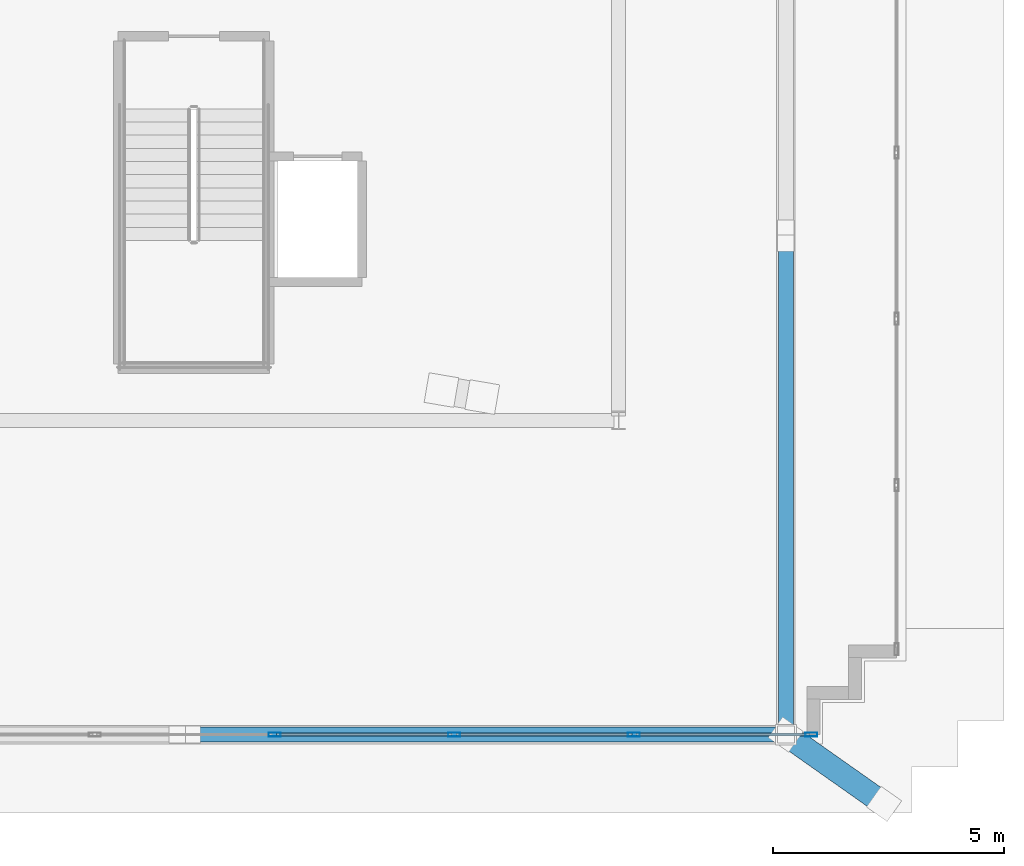
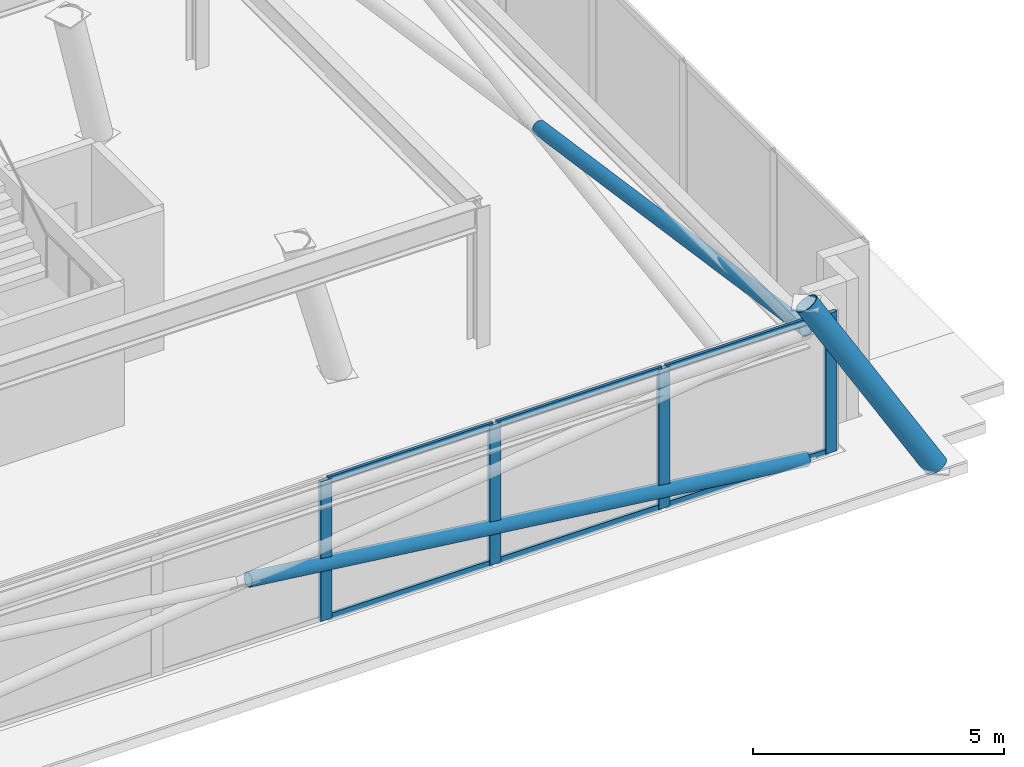
# One storey, part 5 of 15: 13 members, 1 element without a shape of its own.
"""IFC4 building model written with IfcOpenShell, lengths in metres."""

from ifc_helpers import new_model, si_unit, direction, frame, origin, origin_2d, place, context, subcontext, project, spatial, hollow_rectangle, hollow_circle, extrude, material, layer, layer_set, material_profile, profile_set, type_object, element, aggregate, save


model = new_model("IFC4")

# Units and contexts
model_context = context("Model", 3, precision=1e-05, world=origin(), true_north=direction((0.0, 1.0)))
body_context = subcontext(model_context, "Body", "Model", "MODEL_VIEW")
ifc_project = project(units=[si_unit("LENGTHUNIT", "METRE"), si_unit("AREAUNIT", "SQUARE_METRE"), si_unit("VOLUMEUNIT", "CUBIC_METRE"), si_unit("PLANEANGLEUNIT", "RADIAN"), si_unit("MASSUNIT", "GRAM", prefix="KILO")], contexts=[model_context])

# Site, building, storey
site_placement = place(None, origin())
site = spatial("IfcSite", under=ifc_project, at=site_placement, CompositionType="ELEMENT")
building_placement = place(site_placement, origin())
building = spatial("IfcBuilding", under=site, at=building_placement, Name="Qobustan Lattice House", CompositionType="ELEMENT")
storey_placement = place(building_placement, frame((0.0, 0.0, 281.60009765625)))
storey = spatial("IfcBuildingStorey", under=building, at=storey_placement, Name="L79", CompositionType="ELEMENT", Elevation=281.60009765625)

# Curtain wall, members
ifc_material_1 = material(Name="Anodised aluminium and low-E glazing", Category="aluminium")
ifc_layer = layer(ifc_material_1, 0.219970703125)
ifc_layer_set = layer_set([ifc_layer], Name="Anodised aluminium and low-E glazing")
curtain_wall_type = type_object("IfcCurtainWallType", Name="CW-CRN-01", PredefinedType="USERDEFINED", material=ifc_layer_set)
curtain_wall_placement = place(storey_placement, origin())
curtain_wall = element("IfcCurtainWall", 1, at=curtain_wall_placement, inside=storey, type_object=curtain_wall_type, Name="L79 glass-point crown faceted curtain wall 20", ObjectType="CURTAIN WALL", PredefinedType="USERDEFINED")
ifc_material_2 = material(Name="Anodised aluminium EN AW-6063 T6", Category="aluminium")
ifc_material_profile_1 = material_profile(ifc_material_2, hollow_rectangle(XDim=0.090087890625, YDim=0.260009765625, WallThickness=0.006103515625, at=origin_2d()), Name="CWM-CROWN-260x90")
ifc_profile_set_1 = profile_set([ifc_material_profile_1], Name="Anodised aluminium EN AW-6063 T6")
member_type_1 = type_object("IfcMemberType", Name="CWM-CRN-260", PredefinedType="MULLION", material=ifc_profile_set_1)
member_1_placement = place(storey_placement, frame((13.375, -12.405029296875, 0.0), z_axis=(0.0, 0.0, 1.0), x_axis=(0.0, -1.0, 0.0)))
member_1 = element("IfcMember", 2, at=member_1_placement, type_object=member_type_1, Name="CW-CR mullion 1", PredefinedType="MULLION", context=body_context, shape_type="SweptSolid", body=[
    extrude(hollow_rectangle(XDim=0.090087890625, YDim=0.260009765625, WallThickness=0.006103515625, at=origin_2d()), origin(), (0.0, 0.0, 1.0), 3.39990234375),
])
member_2_placement = place(storey_placement, frame((9.528564453125, -12.405029296875, 0.0), z_axis=(0.0, 0.0, 1.0), x_axis=(0.0, -1.0, 0.0)))
member_2 = element("IfcMember", 3, at=member_2_placement, type_object=member_type_1, Name="CW-CR mullion 2", PredefinedType="MULLION", context=body_context, shape_type="SweptSolid", body=[
    extrude(hollow_rectangle(XDim=0.090087890625, YDim=0.260009765625, WallThickness=0.006103515625, at=origin_2d()), origin(), (0.0, 0.0, 1.0), 3.39990234375),
])
member_3_placement = place(storey_placement, frame((5.63720703125, -12.405029296875, 0.0), z_axis=(0.0, 0.0, 1.0), x_axis=(0.0, -1.0, 0.0)))
member_3 = element("IfcMember", 4, at=member_3_placement, type_object=member_type_1, Name="CW-CR mullion 3", PredefinedType="MULLION", context=body_context, shape_type="SweptSolid", body=[
    extrude(hollow_rectangle(XDim=0.090087890625, YDim=0.260009765625, WallThickness=0.006103515625, at=origin_2d()), origin(), (0.0, 0.0, 1.0), 3.39990234375),
])
member_4_placement = place(storey_placement, frame((1.74560546875, -12.405029296875, 0.0), z_axis=(0.0, 0.0, 1.0), x_axis=(0.0, -1.0, 0.0)))
member_4 = element("IfcMember", 5, at=member_4_placement, type_object=member_type_1, Name="CW-CR mullion 4", PredefinedType="MULLION", context=body_context, shape_type="SweptSolid", body=[
    extrude(hollow_rectangle(XDim=0.090087890625, YDim=0.260009765625, WallThickness=0.006103515625, at=origin_2d()), origin(), (0.0, 0.0, 1.0), 3.39990234375),
])
ifc_material_3 = material(Name="Anodised aluminium EN AW-6063 T6", Category="aluminium")
ifc_material_profile_2 = material_profile(ifc_material_3, hollow_rectangle(XDim=0.06494140625, YDim=0.159912109375, WallThickness=0.00390625, at=origin_2d()), Name="CWT-160x65")
ifc_profile_set_2 = profile_set([ifc_material_profile_2], Name="Anodised aluminium EN AW-6063 T6")
member_type_2 = type_object("IfcMemberType", Name="CWT-HOR-160", PredefinedType="USERDEFINED", material=ifc_profile_set_2)
member_5_placement = place(storey_placement, frame((13.330078125, -12.405029296875, 0.032470703125), z_axis=(-1.0, 0.0, 0.0), x_axis=(0.0, -1.0, 0.0)))
member_5 = element("IfcMember", 6, at=member_5_placement, type_object=member_type_2, Name="CW-CR transom 1.1", ObjectType="TRANSOM", PredefinedType="USERDEFINED", context=body_context, shape_type="SweptSolid", body=[
    extrude(hollow_rectangle(XDim=0.06494140625, YDim=0.159912109375, WallThickness=0.00390625, at=origin_2d()), origin(), (0.0, 0.0, 1.0), 3.756591796875),
])
member_6_placement = place(storey_placement, frame((13.330078125, -12.405029296875, 3.367431640625), z_axis=(-1.0, 0.0, 0.0), x_axis=(0.0, -1.0, 0.0)))
member_6 = element("IfcMember", 7, at=member_6_placement, type_object=member_type_2, Name="CW-CR transom 1.2", ObjectType="TRANSOM", PredefinedType="USERDEFINED", context=body_context, shape_type="SweptSolid", body=[
    extrude(hollow_rectangle(XDim=0.06494140625, YDim=0.159912109375, WallThickness=0.00390625, at=origin_2d()), origin(), (0.0, 0.0, 1.0), 3.756591796875),
])
member_7_placement = place(storey_placement, frame((9.483642578125, -12.405029296875, 0.032470703125), z_axis=(-1.0, 0.0, 0.0), x_axis=(0.0, -1.0, 0.0)))
member_7 = element("IfcMember", 8, at=member_7_placement, type_object=member_type_2, Name="CW-CR transom 2.1", ObjectType="TRANSOM", PredefinedType="USERDEFINED", context=body_context, shape_type="SweptSolid", body=[
    extrude(hollow_rectangle(XDim=0.06494140625, YDim=0.159912109375, WallThickness=0.00390625, at=origin_2d()), origin(), (0.0, 0.0, 1.0), 3.801513671875),
])
member_8_placement = place(storey_placement, frame((9.483642578125, -12.405029296875, 3.367431640625), z_axis=(-1.0, 0.0, 0.0), x_axis=(0.0, -1.0, 0.0)))
member_8 = element("IfcMember", 9, at=member_8_placement, type_object=member_type_2, Name="CW-CR transom 2.2", ObjectType="TRANSOM", PredefinedType="USERDEFINED", context=body_context, shape_type="SweptSolid", body=[
    extrude(hollow_rectangle(XDim=0.06494140625, YDim=0.159912109375, WallThickness=0.00390625, at=origin_2d()), origin(), (0.0, 0.0, 1.0), 3.801513671875),
])
member_9_placement = place(storey_placement, frame((5.592041015625, -12.405029296875, 0.032470703125), z_axis=(-1.0, 0.0, 0.0), x_axis=(0.0, -1.0, 0.0)))
member_9 = element("IfcMember", 10, at=member_9_placement, type_object=member_type_2, Name="CW-CR transom 3.1", ObjectType="TRANSOM", PredefinedType="USERDEFINED", context=body_context, shape_type="SweptSolid", body=[
    extrude(hollow_rectangle(XDim=0.06494140625, YDim=0.159912109375, WallThickness=0.00390625, at=origin_2d()), origin(), (0.0, 0.0, 1.0), 3.80126953125),
])
member_10_placement = place(storey_placement, frame((5.592041015625, -12.405029296875, 3.367431640625), z_axis=(-1.0, 0.0, 0.0), x_axis=(0.0, -1.0, 0.0)))
member_10 = element("IfcMember", 11, at=member_10_placement, type_object=member_type_2, Name="CW-CR transom 3.2", ObjectType="TRANSOM", PredefinedType="USERDEFINED", context=body_context, shape_type="SweptSolid", body=[
    extrude(hollow_rectangle(XDim=0.06494140625, YDim=0.159912109375, WallThickness=0.00390625, at=origin_2d()), origin(), (0.0, 0.0, 1.0), 3.80126953125),
])
aggregate(curtain_wall, [member_1, member_2, member_3, member_4, member_5, member_6, member_7, member_8, member_9, member_10])

# Members
ifc_material_4 = material(Name="Steel S355", Category="steel")
ifc_material_profile_3 = material_profile(ifc_material_4, hollow_circle(Radius=0.161865234375, WallThickness=0.012451171875, at=origin_2d()), Name="CHS323.9x12.5")
ifc_profile_set_3 = profile_set([ifc_material_profile_3], Name="Steel S355")
member_type_3 = type_object("IfcMemberType", Name="MEM-CBR-CHS324", PredefinedType="BRACE", material=ifc_profile_set_3)
member_11_placement = place(storey_placement, frame((12.820068359375, -12.405029296875, 0.014892578125), z_axis=(-0.992694208384, 0.0, 0.120657401931), x_axis=(0.0, -1.0, 0.0)))
element("IfcMember", 12, at=member_11_placement, inside=storey, type_object=member_type_3, Name="L79 crown diagrid split brace 1B lower", PredefinedType="BRACE", context=body_context, shape_type="SweptSolid", body=[
    extrude(hollow_circle(Radius=0.161865234375, WallThickness=0.012451171875, at=origin_2d()), origin(), (0.0, 0.0, 1.0), 12.94775390625),
])
member_12_placement = place(storey_placement, frame((12.820068359375, -1.76611328125, 1.62158203125), z_axis=(0.0, -0.989441933609, 0.144929845153), x_axis=(1.0, 0.0, 0.0)))
element("IfcMember", 13, at=member_12_placement, inside=storey, type_object=member_type_3, Name="L79 crown diagrid split brace 2B upper", PredefinedType="BRACE", context=body_context, shape_type="SweptSolid", body=[
    extrude(hollow_circle(Radius=0.161865234375, WallThickness=0.012451171875, at=origin_2d()), origin(), (0.0, 0.0, 1.0), 10.75244140625),
])
ifc_material_5 = material(Name="Steel S355", Category="steel")
ifc_material_profile_4 = material_profile(ifc_material_5, hollow_circle(Radius=0.25390625, WallThickness=0.02001953125, at=origin_2d()), Name="CHS508x20")
ifc_profile_set_4 = profile_set([ifc_material_profile_4], Name="Steel S355")
member_type_4 = type_object("IfcMemberType", Name="MEM-STR-CHS508", PredefinedType="STRUT", material=ifc_profile_set_4)
member_13_placement = place(storey_placement, frame((14.946533203125, -13.903564453125, 0.0), z_axis=(-0.461773572217, 0.32541517638, 0.825148550859), x_axis=(-0.576041902773, -0.817420165062, 0.0)))
element("IfcMember", 14, at=member_13_placement, inside=storey, type_object=member_type_4, Name="L79 crown corner raking strut 2", PredefinedType="STRUT", context=body_context, shape_type="SweptSolid", body=[
    extrude(hollow_circle(Radius=0.25390625, WallThickness=0.02001953125, at=origin_2d()), origin(), (0.0, 0.0, 1.0), 4.60498046875),
])

save(model, "model.ifc")
